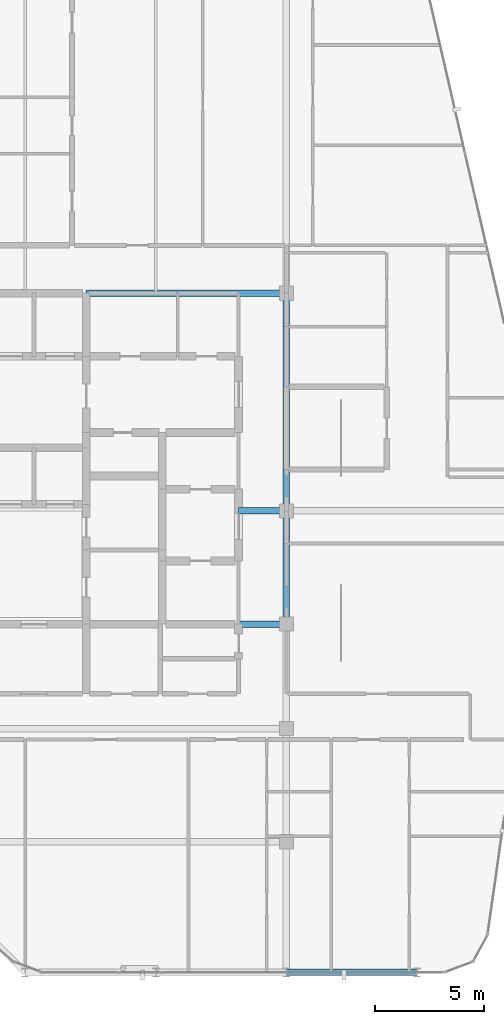
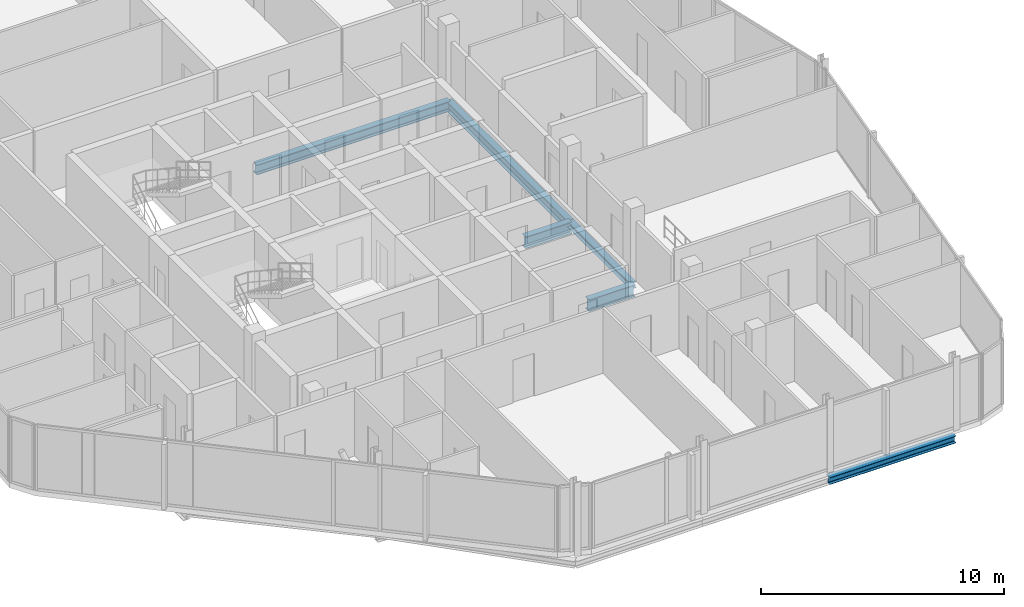
# One storey, part 11 of 27: 6 beams.
"""IFC4 building model written with IfcOpenShell, lengths in metres."""

from ifc_helpers import new_model, si_unit, direction, frame, origin, origin_2d, place, context, subcontext, project, spatial, i_section, extrude, material, material_profile, profile_set, type_object, element, save


model = new_model("IFC4")

# Units and contexts
model_context = context("Model", 3, precision=1e-05, world=origin(), true_north=direction((0.0, 1.0)))
body_context = subcontext(model_context, "Body", "Model", "MODEL_VIEW")
ifc_project = project(units=[si_unit("LENGTHUNIT", "METRE"), si_unit("AREAUNIT", "SQUARE_METRE"), si_unit("VOLUMEUNIT", "CUBIC_METRE"), si_unit("PLANEANGLEUNIT", "RADIAN"), si_unit("MASSUNIT", "GRAM", prefix="KILO")], contexts=[model_context])

# Site, building, storey
site_placement = place(None, origin())
site = spatial("IfcSite", under=ifc_project, at=site_placement, CompositionType="ELEMENT")
building_placement = place(site_placement, origin())
building = spatial("IfcBuilding", under=site, at=building_placement, Name="Keshet Zoharim Tower", CompositionType="ELEMENT")
storey_placement = place(building_placement, frame((0.0, 0.0, 311.0)))
storey = spatial("IfcBuildingStorey", under=building, at=storey_placement, Name="L78", CompositionType="ELEMENT", Elevation=311.0)

# Beams
ifc_material = material(Name="Steel S355", Category="steel")
ifc_material_profile_1 = material_profile(ifc_material, i_section(OverallWidth=0.300048828125, OverallDepth=0.60009765625, WebThickness=0.015380859375, FlangeThickness=0.030029296875, FilletRadius=0.027099609375, at=origin_2d()), Name="HEB600")
ifc_profile_set_1 = profile_set([ifc_material_profile_1], Name="Steel S355")
beam_type_1 = type_object("IfcBeamType", Name="BM-CLK-HB600", PredefinedType="BEAM", material=ifc_profile_set_1)
for number, where, z_axis, x_axis, name in (
    (1, (30.800048828125, 22.699951171875, -0.610107421875), (1.0, 0.0, 0.0), (0.0, 1.0, 0.0), "L78 Core Wall Link Girder 01"),
    (2, (30.800048828125, 27.89990234375, -0.610107421875), (1.0, 0.0, 0.0), (0.0, 1.0, 0.0), "L78 Core Wall Link Girder 02"),
):
    element("IfcBeam", number, at=place(storey_placement, frame(where, z_axis=z_axis, x_axis=x_axis)), inside=storey, type_object=beam_type_1, Name=name, PredefinedType="BEAM", context=body_context, shape_type="SweptSolid", body=[
        extrude(i_section(OverallWidth=0.300048828125, OverallDepth=0.60009765625, WebThickness=0.015380859375, FlangeThickness=0.030029296875, FilletRadius=0.027099609375, at=origin_2d()), origin(), (0.0, 0.0, 1.0), 2.199951171875),
    ])
ifc_material_profile_2 = material_profile(ifc_material, i_section(OverallWidth=0.300048828125, OverallDepth=0.5, WebThickness=0.014404296875, FlangeThickness=0.028076171875, FilletRadius=0.027099609375, at=origin_2d()), Name="HEB500")
ifc_profile_set_2 = profile_set([ifc_material_profile_2], Name="Steel S355")
beam_type_2 = type_object("IfcBeamType", Name="BM-MED-HB500", PredefinedType="BEAM", material=ifc_profile_set_2)
beam_1_placement = place(storey_placement, frame((23.800048828125, 37.89990234375, -0.56005859375), z_axis=(1.0, 0.0, 0.0), x_axis=(0.0, 1.0, 0.0)))
element("IfcBeam", 3, at=beam_1_placement, inside=storey, type_object=beam_type_2, Name="L78 Primary Girder X-009", PredefinedType="BEAM", context=body_context, shape_type="SweptSolid", body=[
    extrude(i_section(OverallWidth=0.300048828125, OverallDepth=0.5, WebThickness=0.014404296875, FlangeThickness=0.028076171875, FilletRadius=0.027099609375, at=origin_2d()), origin(), (0.0, 0.0, 1.0), 9.199951171875),
])
beam_2_placement = place(storey_placement, frame((33.0, 27.89990234375, -0.56005859375), z_axis=(0.0, 1.0, 0.0), x_axis=(-1.0, 0.0, 0.0)))
element("IfcBeam", 4, at=beam_2_placement, inside=storey, type_object=beam_type_2, Name="L78 Primary Girder Y-008", PredefinedType="BEAM", context=body_context, shape_type="SweptSolid", body=[
    extrude(i_section(OverallWidth=0.300048828125, OverallDepth=0.5, WebThickness=0.014404296875, FlangeThickness=0.028076171875, FilletRadius=0.027099609375, at=origin_2d()), origin(), (0.0, 0.0, 1.0), 10.0),
])
ifc_material_profile_3 = material_profile(ifc_material, i_section(OverallWidth=0.300048828125, OverallDepth=0.2900390625, WebThickness=0.008544921875, FlangeThickness=0.013916015625, FilletRadius=0.027099609375, at=origin_2d()), Name="HEA300")
ifc_profile_set_3 = profile_set([ifc_material_profile_3], Name="Steel S355")
beam_type_3 = type_object("IfcBeamType", Name="BM-PRI-HA300", PredefinedType="BEAM", material=ifc_profile_set_3)
beam_3_placement = place(storey_placement, frame((33.0, 22.699951171875, -0.455078125), z_axis=(0.0, 1.0, 0.0), x_axis=(-1.0, 0.0, 0.0)))
element("IfcBeam", 5, at=beam_3_placement, inside=storey, type_object=beam_type_3, Name="L78 Primary Girder Y-007", PredefinedType="BEAM", context=body_context, shape_type="SweptSolid", body=[
    extrude(i_section(OverallWidth=0.300048828125, OverallDepth=0.2900390625, WebThickness=0.008544921875, FlangeThickness=0.013916015625, FilletRadius=0.027099609375, at=origin_2d()), origin(), (0.0, 0.0, 1.0), 5.199951171875),
])
ifc_material_profile_4 = material_profile(ifc_material, i_section(OverallWidth=0.300048828125, OverallDepth=0.35009765625, WebThickness=0.010009765625, FlangeThickness=0.017578125, FilletRadius=0.027099609375, at=origin_2d()), Name="HEA360")
ifc_profile_set_4 = profile_set([ifc_material_profile_4], Name="Steel S355")
beam_type_4 = type_object("IfcBeamType", Name="BM-PRI-HA360", PredefinedType="BEAM", material=ifc_profile_set_4)
beam_4_placement = place(storey_placement, frame((33.0, 6.699951171875, -0.485107421875), z_axis=(1.0, 0.0, 0.0), x_axis=(0.0, 1.0, 0.0)))
element("IfcBeam", 6, at=beam_4_placement, inside=storey, type_object=beam_type_4, Name="L78 Primary Girder X-003", PredefinedType="BEAM", context=body_context, shape_type="SweptSolid", body=[
    extrude(i_section(OverallWidth=0.300048828125, OverallDepth=0.35009765625, WebThickness=0.010009765625, FlangeThickness=0.017578125, FilletRadius=0.027099609375, at=origin_2d()), origin(), (0.0, 0.0, 1.0), 6.0),
])

save(model, "model.ifc")
